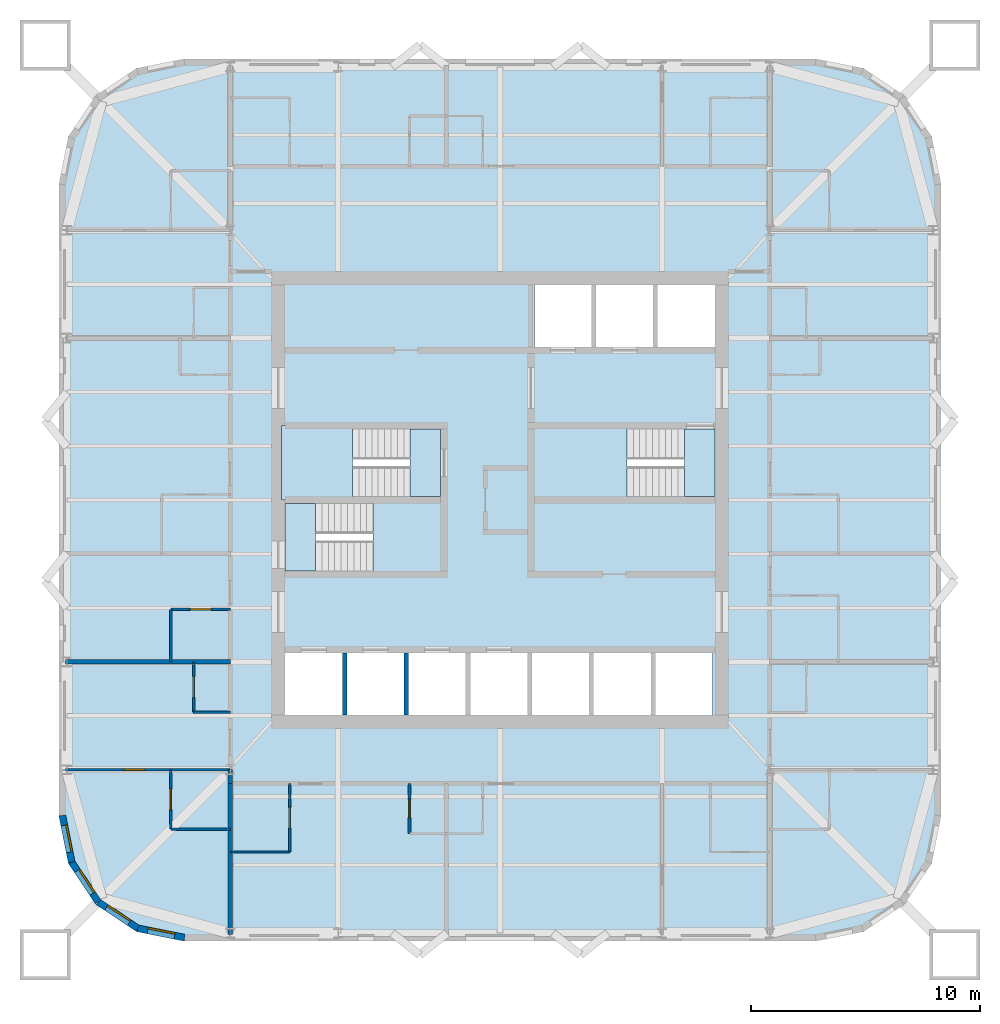
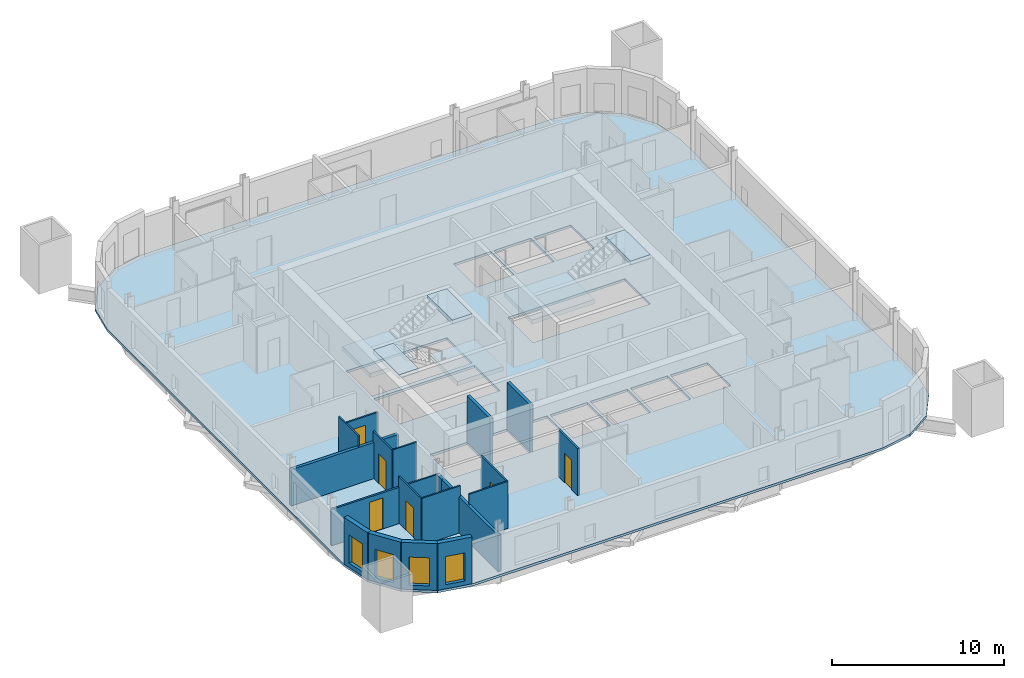
# One storey, part 2 of 8: 20 walls, 7 slabs, 6 doors, 4 windows, 10 openings, 3 elements without a shape of their own.
"""IFC4 building model written with IfcOpenShell, lengths in metres."""

from ifc_helpers import new_model, si_unit, direction, frame, frame_2d, origin, place, context, subcontext, project, spatial, polyline, rectangle, outline, extrude, material, layer, layer_set, type_object, element, fill, aggregate, save


model = new_model("IFC4")

# Units and contexts
model_context = context("Model", 3, precision=1e-05, world=origin(), true_north=direction((0.0, 1.0)))
body_context = subcontext(model_context, "Body", "Model", "MODEL_VIEW")
ifc_project = project(units=[si_unit("LENGTHUNIT", "METRE"), si_unit("AREAUNIT", "SQUARE_METRE"), si_unit("VOLUMEUNIT", "CUBIC_METRE"), si_unit("PLANEANGLEUNIT", "RADIAN"), si_unit("MASSUNIT", "GRAM", prefix="KILO")], contexts=[model_context])

# Site, building, storey
site_placement = place(None, origin())
site = spatial("IfcSite", under=ifc_project, at=site_placement, CompositionType="ELEMENT")
building_placement = place(site_placement, origin())
building = spatial("IfcBuilding", under=site, at=building_placement, Name="Turquesa Mirador Hotel Tower", CompositionType="ELEMENT")
storey_placement = place(building_placement, frame((0.0, 0.0, 196.800048828125)))
storey = spatial("IfcBuildingStorey", under=building, at=storey_placement, Name="L53", CompositionType="ELEMENT", Elevation=196.800048828125)

# Slab
ifc_material_1 = material(Name="Concrete C28/35", Category="concrete")
ifc_layer_1 = layer(ifc_material_1, 0.169921875)
ifc_layer_set_1 = layer_set([ifc_layer_1], Name="COMPOSITE FLOOR SLAB 170")
slab_type_1 = type_object("IfcSlabType", Name="COMPOSITE FLOOR SLAB 170", PredefinedType="FLOOR", material=ifc_layer_set_1)
slab_1_placement = place(storey_placement, frame((0.0, 0.0, -0.170166015625)))
element("IfcSlab", 1, at=slab_1_placement, inside=storey, type_object=slab_type_1, Name="Floor slab L53", PredefinedType="FLOOR", context=body_context, shape_type="SweptSolid", body=[
    extrude(outline(polyline([(68.800048828125, 25.699951171875), (70.90478515625, 26.11865234375), (72.689208984375, 27.310791015625), (73.88134765625, 29.09521484375), (74.300048828125, 31.199951171875), (74.300048828125, 58.800048828125), (73.88134765625, 60.90478515625), (72.689208984375, 62.689208984375), (70.90478515625, 63.88134765625), (68.800048828125, 64.300048828125), (41.199951171875, 64.300048828125), (39.09521484375, 63.88134765625), (37.310791015625, 62.689208984375), (36.11865234375, 60.90478515625), (35.699951171875, 58.800048828125), (35.699951171875, 31.199951171875), (36.11865234375, 29.09521484375), (37.310791015625, 27.310791015625), (39.09521484375, 26.11865234375), (41.199951171875, 25.699951171875), (68.800048828125, 25.699951171875)]), holes=[polyline([(56.5, 51.699951171875), (59.0, 51.699951171875), (59.0, 54.39990234375), (56.5, 54.39990234375), (56.5, 51.699951171875)]), polyline([(59.199951171875, 51.699951171875), (61.699951171875, 51.699951171875), (61.699951171875, 54.39990234375), (59.199951171875, 54.39990234375), (59.199951171875, 51.699951171875)]), polyline([(45.60009765625, 35.60009765625), (48.10009765625, 35.60009765625), (48.10009765625, 38.300048828125), (45.60009765625, 38.300048828125), (45.60009765625, 35.60009765625)]), polyline([(48.300048828125, 35.60009765625), (50.800048828125, 35.60009765625), (50.800048828125, 38.300048828125), (48.300048828125, 38.300048828125), (48.300048828125, 35.60009765625)]), polyline([(51.0, 35.60009765625), (53.5, 35.60009765625), (53.5, 38.300048828125), (51.0, 38.300048828125), (51.0, 35.60009765625)]), polyline([(53.699951171875, 35.60009765625), (56.199951171875, 35.60009765625), (56.199951171875, 38.300048828125), (53.699951171875, 38.300048828125), (53.699951171875, 35.60009765625)]), polyline([(56.39990234375, 35.60009765625), (58.89990234375, 35.60009765625), (58.89990234375, 38.300048828125), (56.39990234375, 38.300048828125), (56.39990234375, 35.60009765625)]), polyline([(59.10009765625, 35.60009765625), (61.60009765625, 35.60009765625), (61.60009765625, 38.300048828125), (59.10009765625, 38.300048828125), (59.10009765625, 35.60009765625)]), polyline([(61.800048828125, 35.60009765625), (64.300048828125, 35.60009765625), (64.300048828125, 38.300048828125), (61.800048828125, 38.300048828125), (61.800048828125, 35.60009765625)]), polyline([(45.60009765625, 45.14990234375), (52.39990234375, 45.14990234375), (52.39990234375, 48.10009765625), (45.60009765625, 48.10009765625), (45.60009765625, 45.14990234375)]), polyline([(45.60009765625, 41.89990234375), (52.39990234375, 41.89990234375), (52.39990234375, 44.85009765625), (45.60009765625, 44.85009765625), (45.60009765625, 41.89990234375)]), polyline([(56.5, 45.14990234375), (64.39990234375, 45.14990234375), (64.39990234375, 48.10009765625), (56.5, 48.10009765625), (56.5, 45.14990234375)]), polyline([(61.89990234375, 51.699951171875), (64.39990234375, 51.699951171875), (64.39990234375, 54.39990234375), (61.89990234375, 54.39990234375), (61.89990234375, 51.699951171875)])]), origin(), (0.0, 0.0, 1.0), 0.170166015625),
])

# Stair, slabs
ifc_material_2 = material(Name="Concrete C35/45", Category="concrete")
stair_type = type_object("IfcStairType", Name="ESCAPE STAIR CORE", PredefinedType="HALF_TURN_STAIR", material=ifc_material_2)
stair_1_placement = place(storey_placement, origin())
stair_1 = element("IfcStair", 2, at=stair_1_placement, inside=storey, type_object=stair_type, Name="Stair ST1 L53 to L54", PredefinedType="HALF_TURN_STAIR")
ifc_material_3 = material(Name="Concrete C35/45", Category="concrete")
ifc_layer_2 = layer(ifc_material_3, 0.300048828125)
ifc_layer_set_2 = layer_set([ifc_layer_2], Name="STAIR LANDING 300")
slab_type_2 = type_object("IfcSlabType", Name="STAIR LANDING 300", PredefinedType="LANDING", material=ifc_layer_set_2)
slab_2_placement = place(storey_placement, frame((0.0, 0.0, 1.449951171875)))
slab_2 = element("IfcSlab", 3, at=slab_2_placement, type_object=slab_type_2, Name="ST1 landing 1", PredefinedType="LANDING", context=body_context, shape_type="SweptSolid", body=[
    extrude(outline(polyline([(45.449951171875, 45.0), (48.550048828125, 45.0), (48.550048828125, 48.25), (45.449951171875, 48.25), (45.449951171875, 45.0)])), origin(), (0.0, 0.0, 1.0), 0.300048828125),
])
slab_3_placement = place(storey_placement, frame((0.0, 0.0, 3.199951171875)))
slab_3 = element("IfcSlab", 4, at=slab_3_placement, type_object=slab_type_2, Name="ST1 landing 2", PredefinedType="LANDING", context=body_context, shape_type="SweptSolid", body=[
    extrude(outline(polyline([(51.070068359375, 45.14990234375), (52.39990234375, 45.14990234375), (52.39990234375, 48.10009765625), (51.070068359375, 48.10009765625), (51.070068359375, 45.14990234375)])), origin(), (0.0, 0.0, 1.0), 0.300048828125),
])
aggregate(stair_1, [slab_2, slab_3])

stair_2_placement = place(storey_placement, origin())
stair_2 = element("IfcStair", 5, at=stair_2_placement, inside=storey, type_object=stair_type, Name="Stair ST2 L53 to L54", PredefinedType="HALF_TURN_STAIR")
slab_4_placement = place(storey_placement, frame((0.0, 0.0, 1.449951171875)))
slab_4 = element("IfcSlab", 6, at=slab_4_placement, type_object=slab_type_2, Name="ST2 landing 1", PredefinedType="LANDING", context=body_context, shape_type="SweptSolid", body=[
    extrude(outline(polyline([(52.550048828125, 45.0), (49.449951171875, 45.0), (49.449951171875, 41.75), (52.550048828125, 41.75), (52.550048828125, 45.0)])), origin(), (0.0, 0.0, 1.0), 0.300048828125),
])
slab_5_placement = place(storey_placement, frame((0.0, 0.0, 3.199951171875)))
slab_5 = element("IfcSlab", 7, at=slab_5_placement, type_object=slab_type_2, Name="ST2 landing 2", PredefinedType="LANDING", context=body_context, shape_type="SweptSolid", body=[
    extrude(outline(polyline([(46.929931640625, 44.85009765625), (45.60009765625, 44.85009765625), (45.60009765625, 41.89990234375), (46.929931640625, 41.89990234375), (46.929931640625, 44.85009765625)])), origin(), (0.0, 0.0, 1.0), 0.300048828125),
])
aggregate(stair_2, [slab_4, slab_5])

stair_3_placement = place(storey_placement, origin())
stair_3 = element("IfcStair", 8, at=stair_3_placement, inside=storey, type_object=stair_type, Name="Stair ST3 L53 to L54", PredefinedType="HALF_TURN_STAIR")
slab_6_placement = place(storey_placement, frame((0.0, 0.0, 1.449951171875)))
slab_6 = element("IfcSlab", 9, at=slab_6_placement, type_object=slab_type_2, Name="ST3 landing 1", PredefinedType="LANDING", context=body_context, shape_type="SweptSolid", body=[
    extrude(outline(polyline([(56.35009765625, 45.0), (60.550048828125, 45.0), (60.550048828125, 48.25), (56.35009765625, 48.25), (56.35009765625, 45.0)])), origin(), (0.0, 0.0, 1.0), 0.300048828125),
])
slab_7_placement = place(storey_placement, frame((0.0, 0.0, 3.199951171875)))
slab_7 = element("IfcSlab", 10, at=slab_7_placement, type_object=slab_type_2, Name="ST3 landing 2", PredefinedType="LANDING", context=body_context, shape_type="SweptSolid", body=[
    extrude(outline(polyline([(63.070068359375, 45.14990234375), (64.39990234375, 45.14990234375), (64.39990234375, 48.10009765625), (63.070068359375, 48.10009765625), (63.070068359375, 45.14990234375)])), origin(), (0.0, 0.0, 1.0), 0.300048828125),
])
aggregate(stair_3, [slab_6, slab_7])

# Walls
ifc_material_4 = material(Name="Gypsum board on steel studs", Category="steel")
ifc_layer_3 = layer(ifc_material_4, 0.10009765625)
ifc_layer_set_3 = layer_set([ifc_layer_3], Name="BATHROOM WALL 100")
wall_type_1 = type_object("IfcWallType", Name="BATHROOM WALL 100", PredefinedType="PARTITIONING", material=ifc_layer_set_3)
wall_1_placement = place(storey_placement, frame((40.60009765625, 33.199951171875, 0.0), z_axis=(0.0, 0.0, 1.0), x_axis=(1.0, 0.0, 0.0)))
element("IfcWall", 11, at=wall_1_placement, inside=storey, type_object=wall_type_1, Name="Partition L53 001", PredefinedType="PARTITIONING", context=body_context, shape_type="SweptSolid", body=[
    extrude(rectangle(XDim=2.599853515625, YDim=0.10009765625, at=frame_2d((1.2998046875, 0.0))), origin(), (0.0, 0.0, 1.0), 2.572998046875),
])
wall_2_placement = place(storey_placement, frame((40.60009765625, 30.60009765625, 0.0), z_axis=(0.0, 0.0, 1.0), x_axis=(1.0, 0.0, 0.0)))
element("IfcWall", 12, at=wall_2_placement, inside=storey, type_object=wall_type_1, Name="Partition L53 006", PredefinedType="PARTITIONING", context=body_context, shape_type="SweptSolid", body=[
    extrude(rectangle(XDim=2.599853515625, YDim=0.10009765625, at=frame_2d((1.2998046875, 0.0))), origin(), (0.0, 0.0, 1.0), 3.329833984375),
])
wall_3_placement = place(storey_placement, frame((43.199951171875, 29.60009765625, 0.0), z_axis=(0.0, 0.0, 1.0), x_axis=(1.0, 0.0, 0.0)))
element("IfcWall", 13, at=wall_3_placement, inside=storey, type_object=wall_type_1, Name="Partition L53 010", PredefinedType="PARTITIONING", context=body_context, shape_type="SweptSolid", body=[
    extrude(rectangle(XDim=2.60009765625, YDim=0.10009765625, at=frame_2d((1.300048828125, 0.0))), origin(), (0.0, 0.0, 1.0), 3.329833984375),
])

# Wall, opening, door
wall_4_placement = place(storey_placement, frame((40.60009765625, 40.219970703125, 0.0), z_axis=(0.0, 0.0, 1.0), x_axis=(1.0, 0.0, 0.0)))
wall_4 = element("IfcWall", 14, at=wall_4_placement, inside=storey, type_object=wall_type_1, Name="Partition L53 015", PredefinedType="PARTITIONING", context=body_context, shape_type="SweptSolid", body=[
    extrude(rectangle(XDim=2.599853515625, YDim=0.10009765625, at=frame_2d((1.2998046875, 0.0))), origin(), (0.0, 0.0, 1.0), 2.73046875),
])
opening_1_placement = place(wall_4_placement, frame((0.85009765625, 0.0, 0.0)))
opening_1 = element("IfcOpeningElement", 15, at=opening_1_placement, cuts=wall_4, Name="Opening D02", PredefinedType="OPENING", context=body_context, shape_type="SweptSolid", body=[
    extrude(rectangle(XDim=0.89990234375, YDim=2.10009765625, at=frame_2d((0.449951171875, 1.050048828125))), frame((0.0, 0.06005859375, 0.0), z_axis=(0.0, -1.0, 0.0), x_axis=(1.0, 0.0, 0.0)), (0.0, 0.0, 1.0), 0.1201171875),
])
ifc_material_5 = material(Name="Timber veneered door", Category="wood")
door_type_1 = type_object("IfcDoorType", Name="DOOR 900X2100 EN-SUITE", OperationType="SINGLE_SWING_RIGHT", PredefinedType="DOOR", material=ifc_material_5)
door_1_placement = place(opening_1_placement, origin())
door_1 = element("IfcDoor", 16, at=door_1_placement, inside=storey, type_object=door_type_1, Name="Door 5307B", OperationType="SINGLE_SWING_RIGHT", OverallHeight=2.10009765625, OverallWidth=0.89990234375, PredefinedType="DOOR", context=body_context, shape_type="SweptSolid", body=[
    extrude(rectangle(XDim=0.89990234375, YDim=2.10009765625, at=frame_2d((0.449951171875, 1.050048828125))), frame((0.0, 0.02490234375, 0.0), z_axis=(0.0, -1.0, 0.0), x_axis=(1.0, 0.0, 0.0)), (0.0, 0.0, 1.0), 0.050048828125),
])
fill(opening_1, door_1)

# Wall
wall_5_placement = place(storey_placement, frame((41.60009765625, 35.719970703125, 0.0), z_axis=(0.0, 0.0, 1.0), x_axis=(1.0, 0.0, 0.0)))
element("IfcWall", 17, at=wall_5_placement, inside=storey, type_object=wall_type_1, Name="Partition L53 018", PredefinedType="PARTITIONING", context=body_context, shape_type="SweptSolid", body=[
    extrude(rectangle(XDim=1.599853515625, YDim=0.10009765625, at=frame_2d((0.7998046875, 0.0))), origin(), (0.0, 0.0, 1.0), 3.329833984375),
])

# Wall, opening, door
wall_6_placement = place(storey_placement, frame((41.60009765625, 35.719970703125, 0.0), z_axis=(0.0, 0.0, 1.0), x_axis=(0.0, 1.0, 0.0)))
wall_6 = element("IfcWall", 18, at=wall_6_placement, inside=storey, type_object=wall_type_1, Name="Partition L53 046", PredefinedType="PARTITIONING", context=body_context, shape_type="SweptSolid", body=[
    extrude(rectangle(XDim=2.199951171875, YDim=0.10009765625, at=frame_2d((1.10009765625, 0.0))), origin(), (0.0, 0.0, 1.0), 3.329833984375),
])
opening_2_placement = place(wall_6_placement, frame((0.64990234375, 0.0, 0.0)))
opening_2 = element("IfcOpeningElement", 19, at=opening_2_placement, cuts=wall_6, Name="Opening D06", PredefinedType="OPENING", context=body_context, shape_type="SweptSolid", body=[
    extrude(rectangle(XDim=0.89990234375, YDim=2.10009765625, at=frame_2d((0.449951171875, 1.050048828125))), frame((0.0, 0.06005859375, 0.0), z_axis=(0.0, -1.0, 0.0), x_axis=(1.0, 0.0, 0.0)), (0.0, 0.0, 1.0), 0.1201171875),
])
ifc_material_6 = material(Name="Laminate door", Category="wood")
door_type_2 = type_object("IfcDoorType", Name="DOOR 900X2100 WC", OperationType="SINGLE_SWING_LEFT", PredefinedType="DOOR", material=ifc_material_6)
door_2_placement = place(opening_2_placement, origin())
door_2 = element("IfcDoor", 20, at=door_2_placement, inside=storey, type_object=door_type_2, Name="Door 5311W", OperationType="SINGLE_SWING_LEFT", OverallHeight=2.10009765625, OverallWidth=0.89990234375, PredefinedType="DOOR", context=body_context, shape_type="SweptSolid", body=[
    extrude(rectangle(XDim=0.89990234375, YDim=2.10009765625, at=frame_2d((0.449951171875, 1.050048828125))), frame((0.0, 0.02490234375, 0.0), z_axis=(0.0, -1.0, 0.0), x_axis=(1.0, 0.0, 0.0)), (0.0, 0.0, 1.0), 0.050048828125),
])
fill(opening_2, door_2)

wall_7_placement = place(storey_placement, frame((40.60009765625, 30.60009765625, 0.0), z_axis=(0.0, 0.0, 1.0), x_axis=(0.0, 1.0, 0.0)))
wall_7 = element("IfcWall", 21, at=wall_7_placement, inside=storey, type_object=wall_type_1, Name="Partition L53 049", PredefinedType="PARTITIONING", context=body_context, shape_type="SweptSolid", body=[
    extrude(rectangle(XDim=2.599853515625, YDim=0.10009765625, at=frame_2d((1.2998046875, 0.0))), origin(), (0.0, 0.0, 1.0), 3.329833984375),
])
opening_3_placement = place(wall_7_placement, frame((0.85009765625, 0.0, 0.0)))
opening_3 = element("IfcOpeningElement", 22, at=opening_3_placement, cuts=wall_7, Name="Opening D02", PredefinedType="OPENING", context=body_context, shape_type="SweptSolid", body=[
    extrude(rectangle(XDim=0.89990234375, YDim=2.10009765625, at=frame_2d((0.449951171875, 1.050048828125))), frame((0.0, 0.06005859375, 0.0), z_axis=(0.0, -1.0, 0.0), x_axis=(1.0, 0.0, 0.0)), (0.0, 0.0, 1.0), 0.1201171875),
])
door_3_placement = place(opening_3_placement, origin())
door_3 = element("IfcDoor", 23, at=door_3_placement, inside=storey, type_object=door_type_1, Name="Door 5311B", OperationType="SINGLE_SWING_RIGHT", OverallHeight=2.10009765625, OverallWidth=0.89990234375, PredefinedType="DOOR", context=body_context, shape_type="SweptSolid", body=[
    extrude(rectangle(XDim=0.89990234375, YDim=2.10009765625, at=frame_2d((0.449951171875, 1.050048828125))), frame((0.0, 0.02490234375, 0.0), z_axis=(0.0, -1.0, 0.0), x_axis=(1.0, 0.0, 0.0)), (0.0, 0.0, 1.0), 0.050048828125),
])
fill(opening_3, door_3)

# Wall
wall_8_placement = place(storey_placement, frame((40.60009765625, 37.919921875, 0.0), z_axis=(0.0, 0.0, 1.0), x_axis=(0.0, 1.0, 0.0)))
element("IfcWall", 24, at=wall_8_placement, inside=storey, type_object=wall_type_1, Name="Partition L53 050", PredefinedType="PARTITIONING", context=body_context, shape_type="SweptSolid", body=[
    extrude(rectangle(XDim=2.300048828125, YDim=0.10009765625, at=frame_2d((1.14990234375, 0.0))), origin(), (0.0, 0.0, 1.0), 3.329833984375),
])

# Wall, opening, door
wall_9_placement = place(storey_placement, frame((45.800048828125, 29.60009765625, 0.0), z_axis=(0.0, 0.0, 1.0), x_axis=(0.0, 1.0, 0.0)))
wall_9 = element("IfcWall", 25, at=wall_9_placement, inside=storey, type_object=wall_type_1, Name="Partition L53 057", PredefinedType="PARTITIONING", context=body_context, shape_type="SweptSolid", body=[
    extrude(rectangle(XDim=3.0, YDim=0.10009765625, at=frame_2d((1.5, 0.0))), origin(), (0.0, 0.0, 1.0), 3.329833984375),
])
opening_4_placement = place(wall_9_placement, frame((1.050048828125, 0.0, 0.0)))
opening_4 = element("IfcOpeningElement", 26, at=opening_4_placement, cuts=wall_9, Name="Opening D02", PredefinedType="OPENING", context=body_context, shape_type="SweptSolid", body=[
    extrude(rectangle(XDim=0.89990234375, YDim=2.10009765625, at=frame_2d((0.449951171875, 1.050048828125))), frame((0.0, 0.06005859375, 0.0), z_axis=(0.0, -1.0, 0.0), x_axis=(1.0, 0.0, 0.0)), (0.0, 0.0, 1.0), 0.1201171875),
])
door_4_placement = place(opening_4_placement, origin())
door_4 = element("IfcDoor", 27, at=door_4_placement, inside=storey, type_object=door_type_1, Name="Door 5303B", OperationType="SINGLE_SWING_RIGHT", OverallHeight=2.10009765625, OverallWidth=0.89990234375, PredefinedType="DOOR", context=body_context, shape_type="SweptSolid", body=[
    extrude(rectangle(XDim=0.89990234375, YDim=2.10009765625, at=frame_2d((0.449951171875, 1.050048828125))), frame((0.0, 0.02490234375, 0.0), z_axis=(0.0, -1.0, 0.0), x_axis=(1.0, 0.0, 0.0)), (0.0, 0.0, 1.0), 0.050048828125),
])
fill(opening_4, door_4)

# Wall
ifc_material_7 = material(Name="Fire-rated gypsum board on steel studs", Category="steel")
ifc_layer_4 = layer(ifc_material_7, 0.199951171875)
ifc_layer_set_4 = layer_set([ifc_layer_4], Name="CORRIDOR WALL 200")
wall_type_2 = type_object("IfcWallType", Name="CORRIDOR WALL 200", PredefinedType="PARTITIONING", material=ifc_layer_set_4)
wall_10_placement = place(storey_placement, frame((43.199951171875, 32.60009765625, 0.0), z_axis=(0.0, 0.0, 1.0), x_axis=(0.0, 1.0, 0.0)))
element("IfcWall", 28, at=wall_10_placement, inside=storey, type_object=wall_type_2, Name="Partition L53 073", PredefinedType="PARTITIONING", context=body_context, shape_type="SweptSolid", body=[
    extrude(rectangle(XDim=0.619873046875, YDim=0.199951171875, at=frame_2d((0.31005859375, 0.0))), origin(), (0.0, 0.0, 1.0), 2.572998046875),
])

# Wall, opening, window
ifc_material_8 = material(Name="Limestone cladding on concrete block", Category="masonry")
ifc_layer_5 = layer(ifc_material_8, 0.300048828125)
ifc_layer_set_5 = layer_set([ifc_layer_5], Name="FACADE WALL 300 STONE SCREEN")
wall_type_3 = type_object("IfcWallType", Name="FACADE WALL 300 STONE SCREEN", PredefinedType="SOLIDWALL", material=ifc_layer_set_5)
wall_11_placement = place(storey_placement, frame((35.85009765625, 31.199951171875, 0.0), z_axis=(0.0, 0.0, 1.0), x_axis=(0.195081421501, -0.980787050784, 0.0)))
wall_11 = element("IfcWall", 29, at=wall_11_placement, inside=storey, type_object=wall_type_3, Name="Facade wall L53 15", PredefinedType="SOLIDWALL", context=body_context, shape_type="SweptSolid", body=[
    extrude(rectangle(XDim=2.08740234375, YDim=0.300048828125, at=frame_2d((1.043701171875, 0.0))), origin(), (0.0, 0.0, 1.0), 3.329833984375),
])
opening_5_placement = place(wall_11_placement, frame((0.443603515625, 0.0, 0.300048828125)))
opening_5 = element("IfcOpeningElement", 30, at=opening_5_placement, cuts=wall_11, Name="Opening WN4", PredefinedType="OPENING", context=body_context, shape_type="SweptSolid", body=[
    extrude(rectangle(XDim=1.199951171875, YDim=2.0, at=frame_2d((0.60009765625, 1.0))), frame((0.0, 0.159912109375, 0.0), z_axis=(0.0, -1.0, 0.0), x_axis=(1.0, 0.0, 0.0)), (0.0, 0.0, 1.0), 0.320068359375),
])
ifc_material_9 = material(Name="Ceramic-fritted laminated glass", Category="glass")
window_type = type_object("IfcWindowType", Name="FRITTED CORNER WINDOW 1200X2000", PartitioningType="DOUBLE_PANEL_HORIZONTAL", PredefinedType="WINDOW", material=ifc_material_9)
window_1_placement = place(opening_5_placement, origin())
window_1 = element("IfcWindow", 31, at=window_1_placement, inside=storey, type_object=window_type, Name="Window L53", OverallHeight=2.0, OverallWidth=1.199951171875, PartitioningType="SINGLE_PANEL", PredefinedType="WINDOW", context=body_context, shape_type="SweptSolid", body=[
    extrude(rectangle(XDim=1.199951171875, YDim=2.0, at=frame_2d((0.60009765625, 1.0))), frame((0.0, 0.130126953125, 0.0), z_axis=(0.0, -1.0, 0.0), x_axis=(1.0, 0.0, 0.0)), (0.0, 0.0, 1.0), 0.06005859375),
])
fill(opening_5, window_1)

wall_12_placement = place(storey_placement, frame((36.25732421875, 29.152587890625, 0.0), z_axis=(0.0, 0.0, 1.0), x_axis=(0.555563607591, -0.831474039234, 0.0)))
wall_12 = element("IfcWall", 32, at=wall_12_placement, inside=storey, type_object=wall_type_3, Name="Facade wall L53 16", PredefinedType="SOLIDWALL", context=body_context, shape_type="SweptSolid", body=[
    extrude(rectangle(XDim=2.08740234375, YDim=0.300048828125, at=frame_2d((1.043701171875, 0.0))), origin(), (0.0, 0.0, 1.0), 3.329833984375),
])
opening_6_placement = place(wall_12_placement, frame((0.443603515625, 0.0, 0.300048828125)))
opening_6 = element("IfcOpeningElement", 33, at=opening_6_placement, cuts=wall_12, Name="Opening WN4", PredefinedType="OPENING", context=body_context, shape_type="SweptSolid", body=[
    extrude(rectangle(XDim=1.199951171875, YDim=2.0, at=frame_2d((0.60009765625, 1.0))), frame((0.0, 0.159912109375, 0.0), z_axis=(0.0, -1.0, 0.0), x_axis=(1.0, 0.0, 0.0)), (0.0, 0.0, 1.0), 0.320068359375),
])
window_2_placement = place(opening_6_placement, origin())
window_2 = element("IfcWindow", 34, at=window_2_placement, inside=storey, type_object=window_type, Name="Window L53", OverallHeight=2.0, OverallWidth=1.199951171875, PartitioningType="SINGLE_PANEL", PredefinedType="WINDOW", context=body_context, shape_type="SweptSolid", body=[
    extrude(rectangle(XDim=1.199951171875, YDim=2.0, at=frame_2d((0.60009765625, 1.0))), frame((0.0, 0.130126953125, 0.0), z_axis=(0.0, -1.0, 0.0), x_axis=(1.0, 0.0, 0.0)), (0.0, 0.0, 1.0), 0.06005859375),
])
fill(opening_6, window_2)

wall_13_placement = place(storey_placement, frame((37.4169921875, 27.4169921875, 0.0), z_axis=(0.0, 0.0, 1.0), x_axis=(0.831474039234, -0.555563607591, 0.0)))
wall_13 = element("IfcWall", 35, at=wall_13_placement, inside=storey, type_object=wall_type_3, Name="Facade wall L53 17", PredefinedType="SOLIDWALL", context=body_context, shape_type="SweptSolid", body=[
    extrude(rectangle(XDim=2.08740234375, YDim=0.300048828125, at=frame_2d((1.043701171875, 0.0))), origin(), (0.0, 0.0, 1.0), 3.329833984375),
])
opening_7_placement = place(wall_13_placement, frame((0.443603515625, 0.0, 0.300048828125)))
opening_7 = element("IfcOpeningElement", 36, at=opening_7_placement, cuts=wall_13, Name="Opening WN4", PredefinedType="OPENING", context=body_context, shape_type="SweptSolid", body=[
    extrude(rectangle(XDim=1.199951171875, YDim=2.0, at=frame_2d((0.60009765625, 1.0))), frame((0.0, 0.159912109375, 0.0), z_axis=(0.0, -1.0, 0.0), x_axis=(1.0, 0.0, 0.0)), (0.0, 0.0, 1.0), 0.320068359375),
])
window_3_placement = place(opening_7_placement, origin())
window_3 = element("IfcWindow", 37, at=window_3_placement, inside=storey, type_object=window_type, Name="Window L53", OverallHeight=2.0, OverallWidth=1.199951171875, PartitioningType="SINGLE_PANEL", PredefinedType="WINDOW", context=body_context, shape_type="SweptSolid", body=[
    extrude(rectangle(XDim=1.199951171875, YDim=2.0, at=frame_2d((0.60009765625, 1.0))), frame((0.0, 0.130126953125, 0.0), z_axis=(0.0, -1.0, 0.0), x_axis=(1.0, 0.0, 0.0)), (0.0, 0.0, 1.0), 0.06005859375),
])
fill(opening_7, window_3)

wall_14_placement = place(storey_placement, frame((39.152587890625, 26.25732421875, 0.0), z_axis=(0.0, 0.0, 1.0), x_axis=(0.980787050784, -0.195081421501, 0.0)))
wall_14 = element("IfcWall", 38, at=wall_14_placement, inside=storey, type_object=wall_type_3, Name="Facade wall L53 18", PredefinedType="SOLIDWALL", context=body_context, shape_type="SweptSolid", body=[
    extrude(rectangle(XDim=2.08740234375, YDim=0.300048828125, at=frame_2d((1.043701171875, 0.0))), origin(), (0.0, 0.0, 1.0), 3.329833984375),
])
opening_8_placement = place(wall_14_placement, frame((0.443603515625, 0.0, 0.300048828125)))
opening_8 = element("IfcOpeningElement", 39, at=opening_8_placement, cuts=wall_14, Name="Opening WN4", PredefinedType="OPENING", context=body_context, shape_type="SweptSolid", body=[
    extrude(rectangle(XDim=1.199951171875, YDim=2.0, at=frame_2d((0.60009765625, 1.0))), frame((0.0, 0.159912109375, 0.0), z_axis=(0.0, -1.0, 0.0), x_axis=(1.0, 0.0, 0.0)), (0.0, 0.0, 1.0), 0.320068359375),
])
window_4_placement = place(opening_8_placement, origin())
window_4 = element("IfcWindow", 40, at=window_4_placement, inside=storey, type_object=window_type, Name="Window L53", OverallHeight=2.0, OverallWidth=1.199951171875, PartitioningType="SINGLE_PANEL", PredefinedType="WINDOW", context=body_context, shape_type="SweptSolid", body=[
    extrude(rectangle(XDim=1.199951171875, YDim=2.0, at=frame_2d((0.60009765625, 1.0))), frame((0.0, 0.130126953125, 0.0), z_axis=(0.0, -1.0, 0.0), x_axis=(1.0, 0.0, 0.0)), (0.0, 0.0, 1.0), 0.06005859375),
])
fill(opening_8, window_4)

# Walls
ifc_material_10 = material(Name="Fire-rated gypsum shaft wall on steel studs", Category="steel")
ifc_layer_6 = layer(ifc_material_10, 0.199951171875)
ifc_layer_set_6 = layer_set([ifc_layer_6], Name="LIFT SHAFT DIVIDER 200")
wall_type_4 = type_object("IfcWallType", Name="LIFT SHAFT DIVIDER 200", PredefinedType="PARTITIONING", material=ifc_layer_set_6)
for number, where, z_axis, x_axis, name in (
    (41, (48.199951171875, 35.60009765625, 0.0), (0.0, 0.0, 1.0), (0.0, 1.0, 0.0), "Lift shaft divider"),
    (42, (50.89990234375, 35.60009765625, 0.0), (0.0, 0.0, 1.0), (0.0, 1.0, 0.0), "Lift shaft divider"),
):
    element("IfcWall", number, at=place(storey_placement, frame(where, z_axis=z_axis, x_axis=x_axis)), inside=storey, type_object=wall_type_4, Name=name, PredefinedType="PARTITIONING", context=body_context, shape_type="SweptSolid", body=[
        extrude(rectangle(XDim=2.699951171875, YDim=0.199951171875, at=frame_2d((1.35009765625, 0.0))), origin(), (0.0, 0.0, 1.0), 3.329833984375),
    ])
ifc_material_11 = material(Name="Fire-rated gypsum board on steel studs", Category="steel")
ifc_layer_7 = layer(ifc_material_11, 0.199951171875)
ifc_layer_set_7 = layer_set([ifc_layer_7], Name="PARTY WALL 200")
wall_type_5 = type_object("IfcWallType", Name="PARTY WALL 200", PredefinedType="PARTITIONING", material=ifc_layer_set_7)
wall_15_placement = place(storey_placement, frame((36.0, 37.919921875, 0.0), z_axis=(0.0, 0.0, 1.0), x_axis=(1.0, 0.0, 0.0)))
element("IfcWall", 43, at=wall_15_placement, inside=storey, type_object=wall_type_5, Name="Partition L53 016", PredefinedType="PARTITIONING", context=body_context, shape_type="SweptSolid", body=[
    extrude(rectangle(XDim=7.199951171875, YDim=0.199951171875, at=frame_2d((3.60009765625, 0.0))), origin(), (0.0, 0.0, 1.0), 2.572998046875),
])
wall_16_placement = place(storey_placement, frame((43.199951171875, 26.0, 0.0), z_axis=(0.0, 0.0, 1.0), x_axis=(0.0, 1.0, 0.0)))
element("IfcWall", 44, at=wall_16_placement, inside=storey, type_object=wall_type_5, Name="Partition L53 044", PredefinedType="PARTITIONING", context=body_context, shape_type="SweptSolid", body=[
    extrude(rectangle(XDim=6.60009765625, YDim=0.199951171875, at=frame_2d((3.300048828125, 0.0))), origin(), (0.0, 0.0, 1.0), 2.572998046875),
])

# Wall, opening, door
ifc_material_12 = material(Name="Acoustic gypsum board on steel studs", Category="steel")
ifc_layer_8 = layer(ifc_material_12, 0.125)
ifc_layer_set_8 = layer_set([ifc_layer_8], Name="SUITE PARTITION 125")
wall_type_6 = type_object("IfcWallType", Name="SUITE PARTITION 125", PredefinedType="PARTITIONING", material=ifc_layer_set_8)
wall_17_placement = place(storey_placement, frame((36.0, 33.199951171875, 0.0), z_axis=(0.0, 0.0, 1.0), x_axis=(1.0, 0.0, 0.0)))
wall_17 = element("IfcWall", 45, at=wall_17_placement, inside=storey, type_object=wall_type_6, Name="Partition L53 003", PredefinedType="PARTITIONING", context=body_context, shape_type="SweptSolid", body=[
    extrude(rectangle(XDim=4.60009765625, YDim=0.125, at=frame_2d((2.300048828125, 0.0))), origin(), (0.0, 0.0, 1.0), 2.572998046875),
])
opening_9_placement = place(wall_17_placement, frame((2.550048828125, 0.0, 0.0)))
opening_9 = element("IfcOpeningElement", 46, at=opening_9_placement, cuts=wall_17, Name="Opening D17", PredefinedType="OPENING", context=body_context, shape_type="SweptSolid", body=[
    extrude(rectangle(XDim=0.89990234375, YDim=2.199951171875, at=frame_2d((0.449951171875, 1.10009765625))), frame((0.0, 0.072509765625, 0.0), z_axis=(0.0, -1.0, 0.0), x_axis=(1.0, 0.0, 0.0)), (0.0, 0.0, 1.0), 0.14501953125),
])
ifc_material_13 = material(Name="Timber veneered door", Category="wood")
door_type_3 = type_object("IfcDoorType", Name="DOOR 900X2200 SUITE INTERNAL", OperationType="SINGLE_SWING_LEFT", PredefinedType="DOOR", material=ifc_material_13)
door_5_placement = place(opening_9_placement, origin())
door_5 = element("IfcDoor", 47, at=door_5_placement, inside=storey, type_object=door_type_3, Name="Door 5311R", OperationType="SINGLE_SWING_LEFT", OverallHeight=2.199951171875, OverallWidth=0.89990234375, PredefinedType="DOOR", context=body_context, shape_type="SweptSolid", body=[
    extrude(rectangle(XDim=0.89990234375, YDim=2.199951171875, at=frame_2d((0.449951171875, 1.10009765625))), frame((0.0, 0.02490234375, 0.0), z_axis=(0.0, -1.0, 0.0), x_axis=(1.0, 0.0, 0.0)), (0.0, 0.0, 1.0), 0.050048828125),
])
fill(opening_9, door_5)

wall_18_placement = place(storey_placement, frame((51.0400390625, 30.39990234375, 0.0), z_axis=(0.0, 0.0, 1.0), x_axis=(0.0, 1.0, 0.0)))
wall_18 = element("IfcWall", 48, at=wall_18_placement, inside=storey, type_object=wall_type_6, Name="Partition L53 055", PredefinedType="PARTITIONING", context=body_context, shape_type="SweptSolid", body=[
    extrude(rectangle(XDim=2.2001953125, YDim=0.125, at=frame_2d((1.10009765625, 0.0))), origin(), (0.0, 0.0, 1.0), 3.329833984375),
])
opening_10_placement = place(wall_18_placement, frame((0.699951171875, 0.0, 0.0)))
opening_10 = element("IfcOpeningElement", 49, at=opening_10_placement, cuts=wall_18, Name="Opening D20", PredefinedType="OPENING", context=body_context, shape_type="SweptSolid", body=[
    extrude(rectangle(XDim=0.800048828125, YDim=2.10009765625, at=frame_2d((0.39990234375, 1.050048828125))), frame((0.0, 0.072509765625, 0.0), z_axis=(0.0, -1.0, 0.0), x_axis=(1.0, 0.0, 0.0)), (0.0, 0.0, 1.0), 0.14501953125),
])
ifc_material_14 = material(Name="Timber veneered sliding door", Category="wood")
door_type_4 = type_object("IfcDoorType", Name="DOOR 800X2100 WARDROBE", OperationType="SLIDING_TO_LEFT", PredefinedType="DOOR", material=ifc_material_14)
door_6_placement = place(opening_10_placement, origin())
door_6 = element("IfcDoor", 50, at=door_6_placement, inside=storey, type_object=door_type_4, Name="Door 5303W", OperationType="SLIDING_TO_LEFT", OverallHeight=2.10009765625, OverallWidth=0.800048828125, PredefinedType="DOOR", context=body_context, shape_type="SweptSolid", body=[
    extrude(rectangle(XDim=0.800048828125, YDim=2.10009765625, at=frame_2d((0.39990234375, 1.050048828125))), frame((0.0, 0.02490234375, 0.0), z_axis=(0.0, -1.0, 0.0), x_axis=(1.0, 0.0, 0.0)), (0.0, 0.0, 1.0), 0.050048828125),
])
fill(opening_10, door_6)

save(model, "model.ifc")
